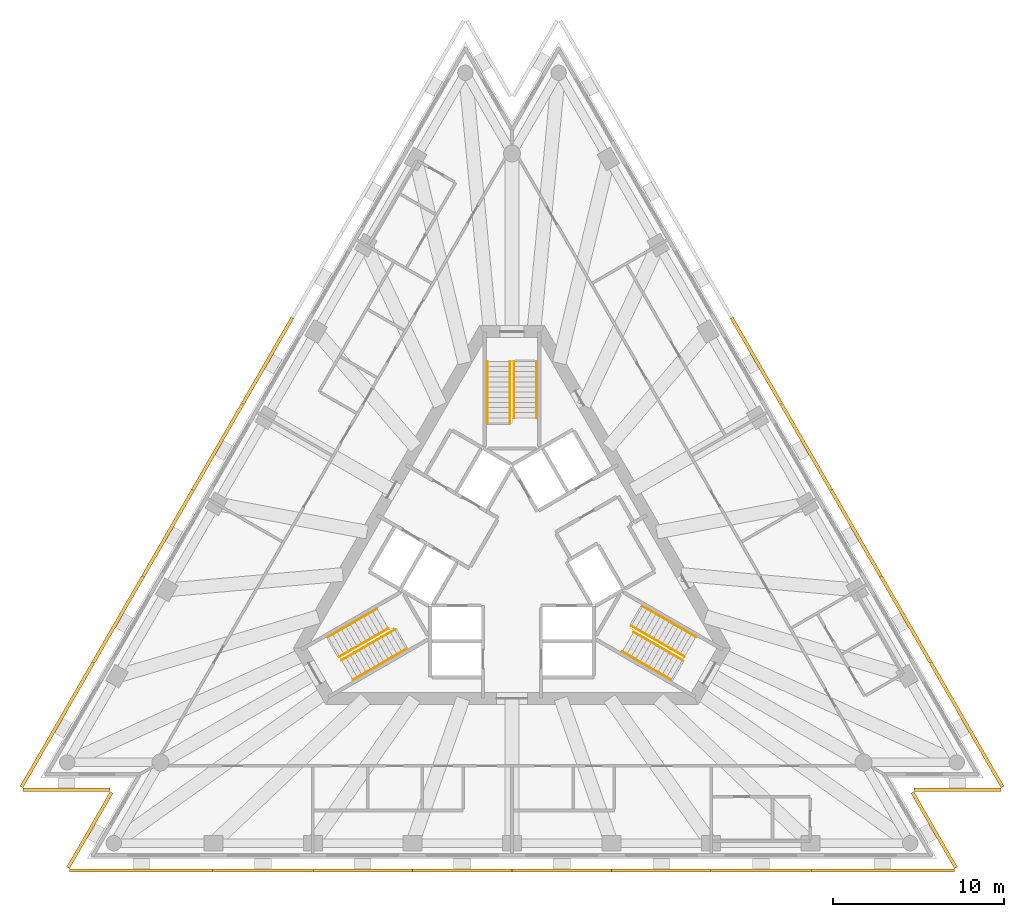
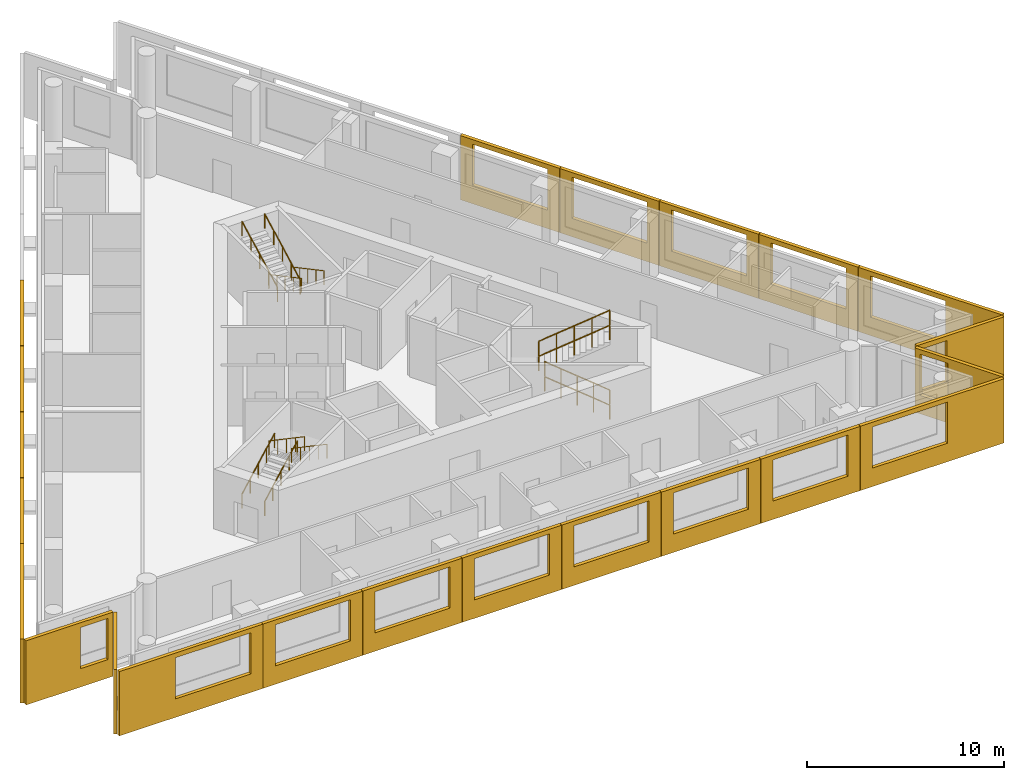
# One storey, part 9 of 10: 22 shading devices, 12 railings, 3 elements without a shape of their own.
"""IFC4 building model written with IfcOpenShell, lengths in metres."""

from ifc_helpers import new_model, si_unit, direction, frame, origin, origin_2d, place, context, subcontext, project, spatial, polyline, circle, outline, extrude, material, layer, layer_set, type_object, element, aggregate, save


model = new_model("IFC4")

# Units and contexts
model_context = context("Model", 3, precision=1e-05, world=origin(), true_north=direction((0.0, 1.0)))
body_context = subcontext(model_context, "Body", "Model", "MODEL_VIEW")
ifc_project = project(units=[si_unit("LENGTHUNIT", "METRE"), si_unit("AREAUNIT", "SQUARE_METRE"), si_unit("VOLUMEUNIT", "CUBIC_METRE"), si_unit("PLANEANGLEUNIT", "RADIAN"), si_unit("MASSUNIT", "GRAM", prefix="KILO")], contexts=[model_context])

# Site, building, storey
site_placement = place(None, origin())
site = spatial("IfcSite", under=ifc_project, at=site_placement, CompositionType="ELEMENT")
building_placement = place(site_placement, origin())
building = spatial("IfcBuilding", under=site, at=building_placement, Name="Triada Interchange Tower", CompositionType="ELEMENT")
storey_placement = place(building_placement, frame((0.0, 0.0, 247.300048828125)))
storey = spatial("IfcBuildingStorey", under=building, at=storey_placement, Name="L58", CompositionType="ELEMENT", Elevation=247.300048828125)

# Shading devices
ifc_material_1 = material(Name="Concrete C50/60 precast", Category="concrete")
ifc_layer_1 = layer(ifc_material_1, 0.02001953125, Name="Exposed aggregate face")
ifc_layer_2 = layer(ifc_material_1, 0.179931640625, Name="Precast concrete screen")
ifc_layer_set = layer_set([ifc_layer_1, ifc_layer_2], Name="Outer skin screen panel 3980")
shading_device_type = type_object("IfcShadingDeviceType", Name="Outer skin screen panel 3980", PredefinedType="SHUTTER", material=ifc_layer_set)
shading_device_1_placement = place(storey_placement, frame((-12.784912109375, 14.10498046875, -0.2900390625), z_axis=(0.0, 0.0, 1.0), x_axis=(-0.499956362902, -0.866050596209, 0.0)))
element("IfcShadingDevice", 1, at=shading_device_1_placement, inside=storey, type_object=shading_device_type, Name="Outer skin screen panel L58 04", PredefinedType="SHUTTER", context=body_context, shape_type="SweptSolid", body=[
    extrude(outline(polyline([(0.0, 0.0), (5.8125, 0.0), (5.8125, 3.97998046875), (0.0, 3.97998046875), (0.0, 0.0)]), holes=[polyline([(0.70654296875, 1.139892578125), (0.70654296875, 3.68994140625), (5.106689453125, 3.68994140625), (5.106689453125, 1.139892578125), (0.70654296875, 1.139892578125)])]), frame((0.0, 0.0, 0.0), z_axis=(0.0, -1.0, 0.0), x_axis=(1.0, 0.0, 0.0)), (0.0, 0.0, 1.0), 0.199951171875),
])
shading_device_2_placement = place(storey_placement, frame((-15.700927734375, 9.052978515625, -0.2900390625), z_axis=(0.0, 0.0, 1.0), x_axis=(-0.499956362902, -0.866050596209, 0.0)))
element("IfcShadingDevice", 2, at=shading_device_2_placement, inside=storey, type_object=shading_device_type, Name="Outer skin screen panel L58 05", PredefinedType="SHUTTER", context=body_context, shape_type="SweptSolid", body=[
    extrude(outline(polyline([(0.0, 0.0), (5.8125, 0.0), (5.8125, 3.97998046875), (0.0, 3.97998046875), (0.0, 0.0)]), holes=[polyline([(0.7060546875, 1.139892578125), (0.7060546875, 3.68994140625), (5.10595703125, 3.68994140625), (5.10595703125, 1.139892578125), (0.7060546875, 1.139892578125)])]), frame((0.0, 0.0, 0.0), z_axis=(0.0, -1.0, 0.0), x_axis=(1.0, 0.0, 0.0)), (0.0, 0.0, 1.0), 0.199951171875),
])
shading_device_3_placement = place(storey_placement, frame((-18.616943359375, 4.001953125, -0.2900390625), z_axis=(0.0, 0.0, 1.0), x_axis=(-0.500082362009, -0.865977846834, 0.0)))
element("IfcShadingDevice", 3, at=shading_device_3_placement, inside=storey, type_object=shading_device_type, Name="Outer skin screen panel L58 06", PredefinedType="SHUTTER", context=body_context, shape_type="SweptSolid", body=[
    extrude(outline(polyline([(0.0, 0.0), (5.81298828125, 0.0), (5.81298828125, 3.97998046875), (0.0, 3.97998046875), (0.0, 0.0)]), holes=[polyline([(0.706298828125, 1.139892578125), (0.706298828125, 3.68994140625), (5.106201171875, 3.68994140625), (5.106201171875, 1.139892578125), (0.706298828125, 1.139892578125)])]), frame((0.0, 0.0, 0.0), z_axis=(0.0, -1.0, 0.0), x_axis=(1.0, 0.0, 0.0)), (0.0, 0.0, 1.0), 0.199951171875),
])
shading_device_4_placement = place(storey_placement, frame((-21.533935546875, -1.049072265625, -0.2900390625), z_axis=(0.0, 0.0, 1.0), x_axis=(-0.499956362902, -0.866050596209, 0.0)))
element("IfcShadingDevice", 4, at=shading_device_4_placement, inside=storey, type_object=shading_device_type, Name="Outer skin screen panel L58 07", PredefinedType="SHUTTER", context=body_context, shape_type="SweptSolid", body=[
    extrude(outline(polyline([(0.0, 0.0), (5.8125, 0.0), (5.8125, 3.97998046875), (0.0, 3.97998046875), (0.0, 0.0)]), holes=[polyline([(0.706787109375, 1.139892578125), (0.706787109375, 3.68994140625), (5.106689453125, 3.68994140625), (5.106689453125, 1.139892578125), (0.706787109375, 1.139892578125)])]), frame((0.0, 0.0, 0.0), z_axis=(0.0, -1.0, 0.0), x_axis=(1.0, 0.0, 0.0)), (0.0, 0.0, 1.0), 0.199951171875),
])
shading_device_5_placement = place(storey_placement, frame((-24.449951171875, -6.10009765625, -0.2900390625), z_axis=(0.0, 0.0, 1.0), x_axis=(-0.499972889028, -0.866041055745, 0.0)))
element("IfcShadingDevice", 5, at=shading_device_5_placement, inside=storey, type_object=shading_device_type, Name="Outer skin screen panel L58 08", PredefinedType="SHUTTER", context=body_context, shape_type="SweptSolid", body=[
    extrude(outline(polyline([(0.0, 0.0), (8.41064453125, 0.0), (8.41064453125, 3.97998046875), (0.0, 3.97998046875), (0.0, 0.0)]), holes=[polyline([(0.7060546875, 1.139892578125), (0.7060546875, 3.68994140625), (5.106201171875, 3.68994140625), (5.106201171875, 1.139892578125), (0.7060546875, 1.139892578125)])]), frame((0.0, 0.0, 0.0), z_axis=(0.0, -1.0, 0.0), x_axis=(1.0, 0.0, 0.0)), (0.0, 0.0, 1.0), 0.199951171875),
])
shading_device_6_placement = place(storey_placement, frame((-28.64990234375, -13.39306640625, -0.2900390625), z_axis=(0.0, 0.0, 1.0), x_axis=(1.0, 0.0, 0.0)))
element("IfcShadingDevice", 6, at=shading_device_6_placement, inside=storey, type_object=shading_device_type, Name="Outer skin screen panel L58 09", PredefinedType="SHUTTER", context=body_context, shape_type="SweptSolid", body=[
    extrude(outline(polyline([(0.0, 0.0), (5.096923828125, 0.0), (5.096923828125, 3.97998046875), (0.0, 3.97998046875), (0.0, 0.0)]), holes=[polyline([(3.175048828125, 1.139892578125), (3.175048828125, 3.68994140625), (4.797119140625, 3.68994140625), (4.797119140625, 1.139892578125), (3.175048828125, 1.139892578125)])]), frame((0.0, 0.0, 0.0), z_axis=(0.0, -1.0, 0.0), x_axis=(1.0, 0.0, 0.0)), (0.0, 0.0, 1.0), 0.199951171875),
])
shading_device_7_placement = place(storey_placement, frame((-23.375, -13.701904296875, -0.2900390625), z_axis=(0.0, 0.0, 1.0), x_axis=(-0.500029339395, -0.866008464014, 0.0)))
element("IfcShadingDevice", 7, at=shading_device_7_placement, inside=storey, type_object=shading_device_type, Name="Outer skin screen panel L58 10", PredefinedType="SHUTTER", context=body_context, shape_type="SweptSolid", body=[
    extrude(outline(polyline([(0.0, 0.0), (5.095947265625, 0.0), (5.095947265625, 3.97998046875), (0.0, 3.97998046875), (0.0, 0.0)]), holes=[polyline([(0.300048828125, 1.139892578125), (0.300048828125, 3.68994140625), (1.7578125, 3.68994140625), (1.7578125, 1.139892578125), (0.300048828125, 1.139892578125)])]), frame((0.0, 0.0, 0.0), z_axis=(0.0, -1.0, 0.0), x_axis=(1.0, 0.0, 0.0)), (0.0, 0.0, 1.0), 0.199951171875),
])
shading_device_8_placement = place(storey_placement, frame((-25.91796875, -18.1240234375, -0.2900390625), z_axis=(0.0, 0.0, 1.0), x_axis=(1.0, 0.0, 0.0)))
element("IfcShadingDevice", 8, at=shading_device_8_placement, inside=storey, type_object=shading_device_type, Name="Outer skin screen panel L58 11", PredefinedType="SHUTTER", context=body_context, shape_type="SweptSolid", body=[
    extrude(outline(polyline([(0.0, 0.0), (8.409912109375, 0.0), (8.409912109375, 3.97998046875), (0.0, 3.97998046875), (0.0, 0.0)]), holes=[polyline([(3.303955078125, 1.139892578125), (3.303955078125, 3.68994140625), (7.7041015625, 3.68994140625), (7.7041015625, 1.139892578125), (3.303955078125, 1.139892578125)])]), frame((0.0, 0.0, 0.0), z_axis=(0.0, -1.0, 0.0), x_axis=(1.0, 0.0, 0.0)), (0.0, 0.0, 1.0), 0.199951171875),
])
shading_device_9_placement = place(storey_placement, frame((-17.487060546875, -18.1240234375, -0.2900390625), z_axis=(0.0, 0.0, 1.0), x_axis=(1.0, 0.0, 0.0)))
element("IfcShadingDevice", 9, at=shading_device_9_placement, inside=storey, type_object=shading_device_type, Name="Outer skin screen panel L58 12", PredefinedType="SHUTTER", context=body_context, shape_type="SweptSolid", body=[
    extrude(outline(polyline([(0.0, 0.0), (5.81201171875, 0.0), (5.81201171875, 3.97998046875), (0.0, 3.97998046875), (0.0, 0.0)]), holes=[polyline([(0.70654296875, 1.139892578125), (0.70654296875, 3.68994140625), (5.1064453125, 3.68994140625), (5.1064453125, 1.139892578125), (0.70654296875, 1.139892578125)])]), frame((0.0, 0.0, 0.0), z_axis=(0.0, -1.0, 0.0), x_axis=(1.0, 0.0, 0.0)), (0.0, 0.0, 1.0), 0.199951171875),
])
shading_device_10_placement = place(storey_placement, frame((-11.655029296875, -18.1240234375, -0.2900390625), z_axis=(0.0, 0.0, 1.0), x_axis=(1.0, 0.0, 0.0)))
element("IfcShadingDevice", 10, at=shading_device_10_placement, inside=storey, type_object=shading_device_type, Name="Outer skin screen panel L58 13", PredefinedType="SHUTTER", context=body_context, shape_type="SweptSolid", body=[
    extrude(outline(polyline([(0.0, 0.0), (5.81201171875, 0.0), (5.81201171875, 3.97998046875), (0.0, 3.97998046875), (0.0, 0.0)]), holes=[polyline([(0.7060546875, 1.139892578125), (0.7060546875, 3.68994140625), (5.10595703125, 3.68994140625), (5.10595703125, 1.139892578125), (0.7060546875, 1.139892578125)])]), frame((0.0, 0.0, 0.0), z_axis=(0.0, -1.0, 0.0), x_axis=(1.0, 0.0, 0.0)), (0.0, 0.0, 1.0), 0.199951171875),
])
shading_device_11_placement = place(storey_placement, frame((-5.822021484375, -18.1240234375, -0.2900390625), z_axis=(0.0, 0.0, 1.0), x_axis=(1.0, 0.0, 0.0)))
element("IfcShadingDevice", 11, at=shading_device_11_placement, inside=storey, type_object=shading_device_type, Name="Outer skin screen panel L58 14", PredefinedType="SHUTTER", context=body_context, shape_type="SweptSolid", body=[
    extrude(outline(polyline([(0.0, 0.0), (5.81201171875, 0.0), (5.81201171875, 3.97998046875), (0.0, 3.97998046875), (0.0, 0.0)]), holes=[polyline([(0.70654296875, 1.139892578125), (0.70654296875, 3.68994140625), (5.1064453125, 3.68994140625), (5.1064453125, 1.139892578125), (0.70654296875, 1.139892578125)])]), frame((0.0, 0.0, 0.0), z_axis=(0.0, -1.0, 0.0), x_axis=(1.0, 0.0, 0.0)), (0.0, 0.0, 1.0), 0.199951171875),
])
shading_device_12_placement = place(storey_placement, frame((0.010009765625, -18.1240234375, -0.2900390625), z_axis=(0.0, 0.0, 1.0), x_axis=(1.0, 0.0, 0.0)))
element("IfcShadingDevice", 12, at=shading_device_12_placement, inside=storey, type_object=shading_device_type, Name="Outer skin screen panel L58 15", PredefinedType="SHUTTER", context=body_context, shape_type="SweptSolid", body=[
    extrude(outline(polyline([(0.0, 0.0), (5.81201171875, 0.0), (5.81201171875, 3.97998046875), (0.0, 3.97998046875), (0.0, 0.0)]), holes=[polyline([(0.7060546875, 1.139892578125), (0.7060546875, 3.68994140625), (5.10595703125, 3.68994140625), (5.10595703125, 1.139892578125), (0.7060546875, 1.139892578125)])]), frame((0.0, 0.0, 0.0), z_axis=(0.0, -1.0, 0.0), x_axis=(1.0, 0.0, 0.0)), (0.0, 0.0, 1.0), 0.199951171875),
])
shading_device_13_placement = place(storey_placement, frame((5.843017578125, -18.1240234375, -0.2900390625), z_axis=(0.0, 0.0, 1.0), x_axis=(1.0, 0.0, 0.0)))
element("IfcShadingDevice", 13, at=shading_device_13_placement, inside=storey, type_object=shading_device_type, Name="Outer skin screen panel L58 16", PredefinedType="SHUTTER", context=body_context, shape_type="SweptSolid", body=[
    extrude(outline(polyline([(0.0, 0.0), (5.81201171875, 0.0), (5.81201171875, 3.97998046875), (0.0, 3.97998046875), (0.0, 0.0)]), holes=[polyline([(0.70654296875, 1.139892578125), (0.70654296875, 3.68994140625), (5.1064453125, 3.68994140625), (5.1064453125, 1.139892578125), (0.70654296875, 1.139892578125)])]), frame((0.0, 0.0, 0.0), z_axis=(0.0, -1.0, 0.0), x_axis=(1.0, 0.0, 0.0)), (0.0, 0.0, 1.0), 0.199951171875),
])
shading_device_14_placement = place(storey_placement, frame((11.675048828125, -18.1240234375, -0.2900390625), z_axis=(0.0, 0.0, 1.0), x_axis=(1.0, 0.0, 0.0)))
element("IfcShadingDevice", 14, at=shading_device_14_placement, inside=storey, type_object=shading_device_type, Name="Outer skin screen panel L58 17", PredefinedType="SHUTTER", context=body_context, shape_type="SweptSolid", body=[
    extrude(outline(polyline([(0.0, 0.0), (5.81298828125, 0.0), (5.81298828125, 3.97998046875), (0.0, 3.97998046875), (0.0, 0.0)]), holes=[polyline([(0.7060546875, 1.139892578125), (0.7060546875, 3.68994140625), (5.10595703125, 3.68994140625), (5.10595703125, 1.139892578125), (0.7060546875, 1.139892578125)])]), frame((0.0, 0.0, 0.0), z_axis=(0.0, -1.0, 0.0), x_axis=(1.0, 0.0, 0.0)), (0.0, 0.0, 1.0), 0.199951171875),
])
shading_device_15_placement = place(storey_placement, frame((17.507080078125, -18.1240234375, -0.2900390625), z_axis=(0.0, 0.0, 1.0), x_axis=(1.0, 0.0, 0.0)))
element("IfcShadingDevice", 15, at=shading_device_15_placement, inside=storey, type_object=shading_device_type, Name="Outer skin screen panel L58 18", PredefinedType="SHUTTER", context=body_context, shape_type="SweptSolid", body=[
    extrude(outline(polyline([(0.0, 0.0), (8.410888671875, 0.0), (8.410888671875, 3.97998046875), (0.0, 3.97998046875), (0.0, 0.0)]), holes=[polyline([(0.70654296875, 1.139892578125), (0.70654296875, 3.68994140625), (5.1064453125, 3.68994140625), (5.1064453125, 1.139892578125), (0.70654296875, 1.139892578125)])]), frame((0.0, 0.0, 0.0), z_axis=(0.0, -1.0, 0.0), x_axis=(1.0, 0.0, 0.0)), (0.0, 0.0, 1.0), 0.199951171875),
])
shading_device_16_placement = place(storey_placement, frame((25.923095703125, -18.114990234375, -0.2900390625), z_axis=(0.0, 0.0, 1.0), x_axis=(-0.500029339395, 0.866008464014, 0.0)))
element("IfcShadingDevice", 16, at=shading_device_16_placement, inside=storey, type_object=shading_device_type, Name="Outer skin screen panel L58 19", PredefinedType="SHUTTER", context=body_context, shape_type="SweptSolid", body=[
    extrude(outline(polyline([(0.0, 0.0), (5.095947265625, 0.0), (5.095947265625, 3.97998046875), (0.0, 3.97998046875), (0.0, 0.0)]), holes=[polyline([(3.17529296875, 1.139892578125), (3.17529296875, 3.68994140625), (4.79638671875, 3.68994140625), (4.79638671875, 1.139892578125), (3.17529296875, 1.139892578125)])]), frame((0.0, 0.0, 0.0), z_axis=(0.0, -1.0, 0.0), x_axis=(1.0, 0.0, 0.0)), (0.0, 0.0, 1.0), 0.199951171875),
])
shading_device_17_placement = place(storey_placement, frame((23.552978515625, -13.39306640625, -0.2900390625), z_axis=(0.0, 0.0, 1.0), x_axis=(1.0, 0.0, 0.0)))
element("IfcShadingDevice", 17, at=shading_device_17_placement, inside=storey, type_object=shading_device_type, Name="Outer skin screen panel L58 20", PredefinedType="SHUTTER", context=body_context, shape_type="SweptSolid", body=[
    extrude(outline(polyline([(0.0, 0.0), (5.096923828125, 0.0), (5.096923828125, 3.97998046875), (0.0, 3.97998046875), (0.0, 0.0)]), holes=[polyline([(0.300048828125, 1.139892578125), (0.300048828125, 3.68994140625), (1.758056640625, 3.68994140625), (1.758056640625, 1.139892578125), (0.300048828125, 1.139892578125)])]), frame((0.0, 0.0, 0.0), z_axis=(0.0, -1.0, 0.0), x_axis=(1.0, 0.0, 0.0)), (0.0, 0.0, 1.0), 0.199951171875),
])
shading_device_18_placement = place(storey_placement, frame((28.655029296875, -13.384033203125, -0.2900390625), z_axis=(0.0, 0.0, 1.0), x_axis=(-0.499972889028, 0.866041055745, 0.0)))
element("IfcShadingDevice", 18, at=shading_device_18_placement, inside=storey, type_object=shading_device_type, Name="Outer skin screen panel L58 21", PredefinedType="SHUTTER", context=body_context, shape_type="SweptSolid", body=[
    extrude(outline(polyline([(0.0, 0.0), (8.41064453125, 0.0), (8.41064453125, 3.97998046875), (0.0, 3.97998046875), (0.0, 0.0)]), holes=[polyline([(3.30419921875, 1.139892578125), (3.30419921875, 3.68994140625), (7.704345703125, 3.68994140625), (7.704345703125, 1.139892578125), (3.30419921875, 1.139892578125)])]), frame((0.0, 0.0, 0.0), z_axis=(0.0, -1.0, 0.0), x_axis=(1.0, 0.0, 0.0)), (0.0, 0.0, 1.0), 0.199951171875),
])
shading_device_19_placement = place(storey_placement, frame((24.43994140625, -6.0830078125, -0.2900390625), z_axis=(0.0, 0.0, 1.0), x_axis=(-0.499956362902, 0.866050596209, 0.0)))
element("IfcShadingDevice", 19, at=shading_device_19_placement, inside=storey, type_object=shading_device_type, Name="Outer skin screen panel L58 22", PredefinedType="SHUTTER", context=body_context, shape_type="SweptSolid", body=[
    extrude(outline(polyline([(0.0, 0.0), (5.8125, 0.0), (5.8125, 3.97998046875), (0.0, 3.97998046875), (0.0, 0.0)]), holes=[polyline([(0.70654296875, 1.139892578125), (0.70654296875, 3.68994140625), (5.106689453125, 3.68994140625), (5.106689453125, 1.139892578125), (0.70654296875, 1.139892578125)])]), frame((0.0, 0.0, 0.0), z_axis=(0.0, -1.0, 0.0), x_axis=(1.0, 0.0, 0.0)), (0.0, 0.0, 1.0), 0.199951171875),
])
shading_device_20_placement = place(storey_placement, frame((21.52392578125, -1.031982421875, -0.2900390625), z_axis=(0.0, 0.0, 1.0), x_axis=(-0.500082362009, 0.865977846834, 0.0)))
element("IfcShadingDevice", 20, at=shading_device_20_placement, inside=storey, type_object=shading_device_type, Name="Outer skin screen panel L58 23", PredefinedType="SHUTTER", context=body_context, shape_type="SweptSolid", body=[
    extrude(outline(polyline([(0.0, 0.0), (5.81298828125, 0.0), (5.81298828125, 3.97998046875), (0.0, 3.97998046875), (0.0, 0.0)]), holes=[polyline([(0.7060546875, 1.139892578125), (0.7060546875, 3.68994140625), (5.10595703125, 3.68994140625), (5.10595703125, 1.139892578125), (0.7060546875, 1.139892578125)])]), frame((0.0, 0.0, 0.0), z_axis=(0.0, -1.0, 0.0), x_axis=(1.0, 0.0, 0.0)), (0.0, 0.0, 1.0), 0.199951171875),
])
shading_device_21_placement = place(storey_placement, frame((18.60693359375, 4.01904296875, -0.2900390625), z_axis=(0.0, 0.0, 1.0), x_axis=(-0.499956362902, 0.866050596209, 0.0)))
element("IfcShadingDevice", 21, at=shading_device_21_placement, inside=storey, type_object=shading_device_type, Name="Outer skin screen panel L58 24", PredefinedType="SHUTTER", context=body_context, shape_type="SweptSolid", body=[
    extrude(outline(polyline([(0.0, 0.0), (5.8125, 0.0), (5.8125, 3.97998046875), (0.0, 3.97998046875), (0.0, 0.0)]), holes=[polyline([(0.706298828125, 1.139892578125), (0.706298828125, 3.68994140625), (5.106201171875, 3.68994140625), (5.106201171875, 1.139892578125), (0.706298828125, 1.139892578125)])]), frame((0.0, 0.0, 0.0), z_axis=(0.0, -1.0, 0.0), x_axis=(1.0, 0.0, 0.0)), (0.0, 0.0, 1.0), 0.199951171875),
])
shading_device_22_placement = place(storey_placement, frame((15.69091796875, 9.071044921875, -0.2900390625), z_axis=(0.0, 0.0, 1.0), x_axis=(-0.499956362902, 0.866050596209, 0.0)))
element("IfcShadingDevice", 22, at=shading_device_22_placement, inside=storey, type_object=shading_device_type, Name="Outer skin screen panel L58 25", PredefinedType="SHUTTER", context=body_context, shape_type="SweptSolid", body=[
    extrude(outline(polyline([(0.0, 0.0), (5.8125, 0.0), (5.8125, 3.97998046875), (0.0, 3.97998046875), (0.0, 0.0)]), holes=[polyline([(0.706787109375, 1.139892578125), (0.706787109375, 3.68994140625), (5.106689453125, 3.68994140625), (5.106689453125, 1.139892578125), (0.706787109375, 1.139892578125)])]), frame((0.0, 0.0, 0.0), z_axis=(0.0, -1.0, 0.0), x_axis=(1.0, 0.0, 0.0)), (0.0, 0.0, 1.0), 0.199951171875),
])

# Stair, railings
ifc_material_2 = material(Name="Concrete C35/45", Category="concrete")
stair_type = type_object("IfcStairType", Name="HALF TURN STAIR 1400", PredefinedType="HALF_TURN_STAIR", material=ifc_material_2)
stair_1_placement = place(storey_placement, origin())
stair_1 = element("IfcStair", 23, at=stair_1_placement, inside=storey, type_object=stair_type, Name="Exit stair S56-1", PredefinedType="HALF_TURN_STAIR")
ifc_material_3 = material(Name="Stainless steel 1.4301", Category="steel")
railing_type = type_object("IfcRailingType", Name="STAIR HANDRAIL 900", PredefinedType="HANDRAIL", material=ifc_material_3)
railing_1_placement = place(storey_placement, frame((1.449951171875, 11.60009765625, 0.159912109375)))
railing_1 = element("IfcRailing", 24, at=railing_1_placement, type_object=railing_type, Name="Handrail S56-1 1W", PredefinedType="HANDRAIL", context=body_context, shape_type="SweptSolid", body=[
    extrude(circle(Radius=0.02392578125, at=origin_2d()), frame((0.0, 0.0, 0.8759765625), z_axis=(0.0, -0.882354748157, 0.47058484719), x_axis=(1.0, 0.0, 0.0)), (0.0, 0.0, 1.0), 3.739990234375),
    extrude(circle(Radius=0.02099609375, at=origin_2d()), origin(), (0.0, 0.0, 1.0), 0.851806640625),
    extrude(circle(Radius=0.02099609375, at=origin_2d()), frame((0.0, -0.824951171875, 0.43994140625)), (0.0, 0.0, 1.0), 0.851806640625),
    extrude(circle(Radius=0.02099609375, at=origin_2d()), frame((0.0, -1.64990234375, 0.8798828125)), (0.0, 0.0, 1.0), 0.851806640625),
    extrude(circle(Radius=0.02099609375, at=origin_2d()), frame((0.0, -2.47509765625, 1.320068359375)), (0.0, 0.0, 1.0), 0.851806640625),
    extrude(circle(Radius=0.02099609375, at=origin_2d()), frame((0.0, -3.300048828125, 1.760009765625)), (0.0, 0.0, 1.0), 0.851806640625),
])
railing_2_placement = place(storey_placement, frame((0.1201171875, 11.60009765625, 0.159912109375)))
railing_2 = element("IfcRailing", 25, at=railing_2_placement, type_object=railing_type, Name="Handrail S56-1 1C", PredefinedType="HANDRAIL", context=body_context, shape_type="SweptSolid", body=[
    extrude(circle(Radius=0.02392578125, at=origin_2d()), frame((0.0, 0.0, 0.8759765625), z_axis=(0.0, -0.882354748157, 0.47058484719), x_axis=(1.0, 0.0, 0.0)), (0.0, 0.0, 1.0), 3.739990234375),
    extrude(circle(Radius=0.02099609375, at=origin_2d()), origin(), (0.0, 0.0, 1.0), 0.851806640625),
    extrude(circle(Radius=0.02099609375, at=origin_2d()), frame((0.0, -0.824951171875, 0.43994140625)), (0.0, 0.0, 1.0), 0.851806640625),
    extrude(circle(Radius=0.02099609375, at=origin_2d()), frame((0.0, -1.64990234375, 0.8798828125)), (0.0, 0.0, 1.0), 0.851806640625),
    extrude(circle(Radius=0.02099609375, at=origin_2d()), frame((0.0, -2.47509765625, 1.320068359375)), (0.0, 0.0, 1.0), 0.851806640625),
    extrude(circle(Radius=0.02099609375, at=origin_2d()), frame((0.0, -3.300048828125, 1.760009765625)), (0.0, 0.0, 1.0), 0.851806640625),
])
railing_3_placement = place(storey_placement, frame((-1.449951171875, 8.0, 2.079833984375)))
railing_3 = element("IfcRailing", 26, at=railing_3_placement, type_object=railing_type, Name="Handrail S56-1 2W", PredefinedType="HANDRAIL", context=body_context, shape_type="SweptSolid", body=[
    extrude(circle(Radius=0.02392578125, at=origin_2d()), frame((0.0, 0.0, 0.8759765625), z_axis=(0.0, 0.882341346394, 0.470609974867), x_axis=(-1.0, 0.0, 0.0)), (0.0, 0.0, 1.0), 4.080078125),
    extrude(circle(Radius=0.02099609375, at=origin_2d()), origin(), (0.0, 0.0, 1.0), 0.851806640625),
    extrude(circle(Radius=0.02099609375, at=origin_2d()), frame((0.0, 0.89990234375, 0.47998046875)), (0.0, 0.0, 1.0), 0.851806640625),
    extrude(circle(Radius=0.02099609375, at=origin_2d()), frame((0.0, 1.800048828125, 0.9599609375)), (0.0, 0.0, 1.0), 0.851806640625),
    extrude(circle(Radius=0.02099609375, at=origin_2d()), frame((0.0, 2.7001953125, 1.440185546875)), (0.0, 0.0, 1.0), 0.851806640625),
    extrude(circle(Radius=0.02099609375, at=origin_2d()), frame((0.0, 3.60009765625, 1.920166015625)), (0.0, 0.0, 1.0), 0.851806640625),
])
railing_4_placement = place(storey_placement, frame((-0.1201171875, 8.0, 2.079833984375)))
railing_4 = element("IfcRailing", 27, at=railing_4_placement, type_object=railing_type, Name="Handrail S56-1 2C", PredefinedType="HANDRAIL", context=body_context, shape_type="SweptSolid", body=[
    extrude(circle(Radius=0.02392578125, at=origin_2d()), frame((0.0, 0.0, 0.8759765625), z_axis=(0.0, 0.882341346394, 0.470609974867), x_axis=(-1.0, 0.0, 0.0)), (0.0, 0.0, 1.0), 4.080078125),
    extrude(circle(Radius=0.02099609375, at=origin_2d()), origin(), (0.0, 0.0, 1.0), 0.851806640625),
    extrude(circle(Radius=0.02099609375, at=origin_2d()), frame((0.0, 0.89990234375, 0.47998046875)), (0.0, 0.0, 1.0), 0.851806640625),
    extrude(circle(Radius=0.02099609375, at=origin_2d()), frame((0.0, 1.800048828125, 0.9599609375)), (0.0, 0.0, 1.0), 0.851806640625),
    extrude(circle(Radius=0.02099609375, at=origin_2d()), frame((0.0, 2.7001953125, 1.440185546875)), (0.0, 0.0, 1.0), 0.851806640625),
    extrude(circle(Radius=0.02099609375, at=origin_2d()), frame((0.0, 3.60009765625, 1.920166015625)), (0.0, 0.0, 1.0), 0.851806640625),
])
aggregate(stair_1, [railing_1, railing_2, railing_3, railing_4])

stair_2_placement = place(storey_placement, origin())
stair_2 = element("IfcStair", 28, at=stair_2_placement, inside=storey, type_object=stair_type, Name="Exit stair S56-2", PredefinedType="HALF_TURN_STAIR")
railing_5_placement = place(storey_placement, frame((-10.77099609375, -4.5439453125, 0.159912109375)))
railing_5 = element("IfcRailing", 29, at=railing_5_placement, type_object=railing_type, Name="Handrail S56-2 1W", PredefinedType="HANDRAIL", context=body_context, shape_type="SweptSolid", body=[
    extrude(circle(Radius=0.02392578125, at=origin_2d()), frame((0.0, 0.0, 0.8759765625), z_axis=(0.764150854273, 0.441152526326, 0.470593158077), x_axis=(-0.499974350878, 0.866040211805, 0.0)), (0.0, 0.0, 1.0), 3.739990234375),
    extrude(circle(Radius=0.02099609375, at=origin_2d()), origin(), (0.0, 0.0, 1.0), 0.851806640625),
    extrude(circle(Radius=0.02099609375, at=origin_2d()), frame((0.71435546875, 0.41259765625, 0.43994140625)), (0.0, 0.0, 1.0), 0.851806640625),
    extrude(circle(Radius=0.02099609375, at=origin_2d()), frame((1.428955078125, 0.824951171875, 0.8798828125)), (0.0, 0.0, 1.0), 0.851806640625),
    extrude(circle(Radius=0.02099609375, at=origin_2d()), frame((2.1435546875, 1.2373046875, 1.320068359375)), (0.0, 0.0, 1.0), 0.851806640625),
    extrude(circle(Radius=0.02099609375, at=origin_2d()), frame((2.85791015625, 1.64990234375, 1.760009765625)), (0.0, 0.0, 1.0), 0.851806640625),
])
railing_6_placement = place(storey_placement, frame((-10.10595703125, -5.696044921875, 0.159912109375)))
railing_6 = element("IfcRailing", 30, at=railing_6_placement, type_object=railing_type, Name="Handrail S56-2 1C", PredefinedType="HANDRAIL", context=body_context, shape_type="SweptSolid", body=[
    extrude(circle(Radius=0.02392578125, at=origin_2d()), frame((0.0, 0.0, 0.8759765625), z_axis=(0.76412884773, 0.441205098395, 0.470579605611), x_axis=(-0.50002983664, 0.866008176907, 0.0)), (0.0, 0.0, 1.0), 3.739990234375),
    extrude(circle(Radius=0.02099609375, at=origin_2d()), origin(), (0.0, 0.0, 1.0), 0.851806640625),
    extrude(circle(Radius=0.02099609375, at=origin_2d()), frame((0.71435546875, 0.41259765625, 0.43994140625)), (0.0, 0.0, 1.0), 0.851806640625),
    extrude(circle(Radius=0.02099609375, at=origin_2d()), frame((1.428955078125, 0.8251953125, 0.8798828125)), (0.0, 0.0, 1.0), 0.851806640625),
    extrude(circle(Radius=0.02099609375, at=origin_2d()), frame((2.1435546875, 1.237548828125, 1.320068359375)), (0.0, 0.0, 1.0), 0.851806640625),
    extrude(circle(Radius=0.02099609375, at=origin_2d()), frame((2.85791015625, 1.650146484375, 1.760009765625)), (0.0, 0.0, 1.0), 0.851806640625),
])
railing_7_placement = place(storey_placement, frame((-6.202880859375, -5.256103515625, 2.079833984375)))
railing_7 = element("IfcRailing", 31, at=railing_7_placement, type_object=railing_type, Name="Handrail S56-2 2W", PredefinedType="HANDRAIL", context=body_context, shape_type="SweptSolid", body=[
    extrude(circle(Radius=0.02392578125, at=origin_2d()), frame((0.0, 0.0, 0.8759765625), z_axis=(-0.764189758314, -0.441090424232, 0.470588196769), x_axis=(0.499902469156, -0.866081705922, 0.0)), (0.0, 0.0, 1.0), 4.080322265625),
    extrude(circle(Radius=0.02099609375, at=origin_2d()), origin(), (0.0, 0.0, 1.0), 0.851806640625),
    extrude(circle(Radius=0.02099609375, at=origin_2d()), frame((-0.779541015625, -0.449951171875, 0.47998046875)), (0.0, 0.0, 1.0), 0.851806640625),
    extrude(circle(Radius=0.02099609375, at=origin_2d()), frame((-1.55908203125, -0.89990234375, 0.9599609375)), (0.0, 0.0, 1.0), 0.851806640625),
    extrude(circle(Radius=0.02099609375, at=origin_2d()), frame((-2.338623046875, -1.349853515625, 1.440185546875)), (0.0, 0.0, 1.0), 0.851806640625),
    extrude(circle(Radius=0.02099609375, at=origin_2d()), frame((-3.1181640625, -1.7998046875, 1.920166015625)), (0.0, 0.0, 1.0), 0.851806640625),
])
railing_8_placement = place(storey_placement, frame((-6.867919921875, -4.10400390625, 2.079833984375)))
railing_8 = element("IfcRailing", 32, at=railing_8_placement, type_object=railing_type, Name="Handrail S56-2 2C", PredefinedType="HANDRAIL", context=body_context, shape_type="SweptSolid", body=[
    extrude(circle(Radius=0.02392578125, at=origin_2d()), frame((0.0, 0.0, 0.8759765625), z_axis=(-0.764169589359, -0.441138614339, 0.470575776723), x_axis=(0.49995333141, -0.866052346231, 0.0)), (0.0, 0.0, 1.0), 4.08056640625),
    extrude(circle(Radius=0.02099609375, at=origin_2d()), origin(), (0.0, 0.0, 1.0), 0.851806640625),
    extrude(circle(Radius=0.02099609375, at=origin_2d()), frame((-0.779541015625, -0.449951171875, 0.47998046875)), (0.0, 0.0, 1.0), 0.851806640625),
    extrude(circle(Radius=0.02099609375, at=origin_2d()), frame((-1.55908203125, -0.89990234375, 0.9599609375)), (0.0, 0.0, 1.0), 0.851806640625),
    extrude(circle(Radius=0.02099609375, at=origin_2d()), frame((-2.338623046875, -1.35009765625, 1.440185546875)), (0.0, 0.0, 1.0), 0.851806640625),
    extrude(circle(Radius=0.02099609375, at=origin_2d()), frame((-3.1181640625, -1.800048828125, 1.920166015625)), (0.0, 0.0, 1.0), 0.851806640625),
])
aggregate(stair_2, [railing_5, railing_6, railing_7, railing_8])

stair_3_placement = place(storey_placement, origin())
stair_3 = element("IfcStair", 33, at=stair_3_placement, inside=storey, type_object=stair_type, Name="Exit stair S56-3", PredefinedType="HALF_TURN_STAIR")
railing_9_placement = place(storey_placement, frame((9.321044921875, -7.055908203125, 0.159912109375)))
railing_9 = element("IfcRailing", 34, at=railing_9_placement, type_object=railing_type, Name="Handrail S56-3 1W", PredefinedType="HANDRAIL", context=body_context, shape_type="SweptSolid", body=[
    extrude(circle(Radius=0.02392578125, at=origin_2d()), frame((0.0, 0.0, 0.8759765625), z_axis=(-0.764178012919, 0.441130521168, 0.470569684388), x_axis=(-0.499942318283, -0.866058703778, 0.0)), (0.0, 0.0, 1.0), 3.740234375),
    extrude(circle(Radius=0.02099609375, at=origin_2d()), origin(), (0.0, 0.0, 1.0), 0.851806640625),
    extrude(circle(Radius=0.02099609375, at=origin_2d()), frame((-0.714599609375, 0.41259765625, 0.43994140625)), (0.0, 0.0, 1.0), 0.851806640625),
    extrude(circle(Radius=0.02099609375, at=origin_2d()), frame((-1.42919921875, 0.824951171875, 0.8798828125)), (0.0, 0.0, 1.0), 0.851806640625),
    extrude(circle(Radius=0.02099609375, at=origin_2d()), frame((-2.1435546875, 1.2373046875, 1.320068359375)), (0.0, 0.0, 1.0), 0.851806640625),
    extrude(circle(Radius=0.02099609375, at=origin_2d()), frame((-2.858154296875, 1.64990234375, 1.760009765625)), (0.0, 0.0, 1.0), 0.851806640625),
])
railing_10_placement = place(storey_placement, frame((9.986083984375, -5.904052734375, 0.159912109375)))
railing_10 = element("IfcRailing", 35, at=railing_10_placement, type_object=railing_type, Name="Handrail S56-3 1C", PredefinedType="HANDRAIL", context=body_context, shape_type="SweptSolid", body=[
    extrude(circle(Radius=0.02392578125, at=origin_2d()), frame((0.0, 0.0, 0.8759765625), z_axis=(-0.764156007789, 0.441183091881, 0.47055613395), x_axis=(-0.49999780286, -0.8660266723, 0.0)), (0.0, 0.0, 1.0), 3.740234375),
    extrude(circle(Radius=0.02099609375, at=origin_2d()), origin(), (0.0, 0.0, 1.0), 0.851806640625),
    extrude(circle(Radius=0.02099609375, at=origin_2d()), frame((-0.714599609375, 0.41259765625, 0.43994140625)), (0.0, 0.0, 1.0), 0.851806640625),
    extrude(circle(Radius=0.02099609375, at=origin_2d()), frame((-1.42919921875, 0.8251953125, 0.8798828125)), (0.0, 0.0, 1.0), 0.851806640625),
    extrude(circle(Radius=0.02099609375, at=origin_2d()), frame((-2.1435546875, 1.237548828125, 1.320068359375)), (0.0, 0.0, 1.0), 0.851806640625),
    extrude(circle(Radius=0.02099609375, at=origin_2d()), frame((-2.858154296875, 1.650146484375, 1.760009765625)), (0.0, 0.0, 1.0), 0.851806640625),
])
railing_11_placement = place(storey_placement, frame((7.653076171875, -2.743896484375, 2.079833984375)))
railing_11 = element("IfcRailing", 36, at=railing_11_placement, type_object=railing_type, Name="Handrail S56-3 2W", PredefinedType="HANDRAIL", context=body_context, shape_type="SweptSolid", body=[
    extrude(circle(Radius=0.02392578125, at=origin_2d()), frame((0.0, 0.0, 0.8759765625), z_axis=(0.76414469501, -0.441158784458, 0.470597292793), x_axis=(0.499982693035, 0.866035395735, 0.0)), (0.0, 0.0, 1.0), 4.080322265625),
    extrude(circle(Radius=0.02099609375, at=origin_2d()), origin(), (0.0, 0.0, 1.0), 0.851806640625),
    extrude(circle(Radius=0.02099609375, at=origin_2d()), frame((0.779541015625, -0.449951171875, 0.47998046875)), (0.0, 0.0, 1.0), 0.851806640625),
    extrude(circle(Radius=0.02099609375, at=origin_2d()), frame((1.55908203125, -0.89990234375, 0.9599609375)), (0.0, 0.0, 1.0), 0.851806640625),
    extrude(circle(Radius=0.02099609375, at=origin_2d()), frame((2.33837890625, -1.35009765625, 1.440185546875)), (0.0, 0.0, 1.0), 0.851806640625),
    extrude(circle(Radius=0.02099609375, at=origin_2d()), frame((3.117919921875, -1.800048828125, 1.920166015625)), (0.0, 0.0, 1.0), 0.851806640625),
])
railing_12_placement = place(storey_placement, frame((6.988037109375, -3.89599609375, 2.079833984375)))
railing_12 = element("IfcRailing", 37, at=railing_12_placement, type_object=railing_type, Name="Handrail S56-3 2C", PredefinedType="HANDRAIL", context=body_context, shape_type="SweptSolid", body=[
    extrude(circle(Radius=0.02392578125, at=origin_2d()), frame((0.0, 0.0, 0.8759765625), z_axis=(0.76414469501, -0.441158784458, 0.470597292793), x_axis=(0.499982693035, 0.866035395735, 0.0)), (0.0, 0.0, 1.0), 4.080322265625),
    extrude(circle(Radius=0.02099609375, at=origin_2d()), origin(), (0.0, 0.0, 1.0), 0.851806640625),
    extrude(circle(Radius=0.02099609375, at=origin_2d()), frame((0.779541015625, -0.449951171875, 0.47998046875)), (0.0, 0.0, 1.0), 0.851806640625),
    extrude(circle(Radius=0.02099609375, at=origin_2d()), frame((1.55908203125, -0.89990234375, 0.9599609375)), (0.0, 0.0, 1.0), 0.851806640625),
    extrude(circle(Radius=0.02099609375, at=origin_2d()), frame((2.33837890625, -1.35009765625, 1.440185546875)), (0.0, 0.0, 1.0), 0.851806640625),
    extrude(circle(Radius=0.02099609375, at=origin_2d()), frame((3.117919921875, -1.800048828125, 1.920166015625)), (0.0, 0.0, 1.0), 0.851806640625),
])
aggregate(stair_3, [railing_9, railing_10, railing_11, railing_12])

save(model, "model.ifc")
